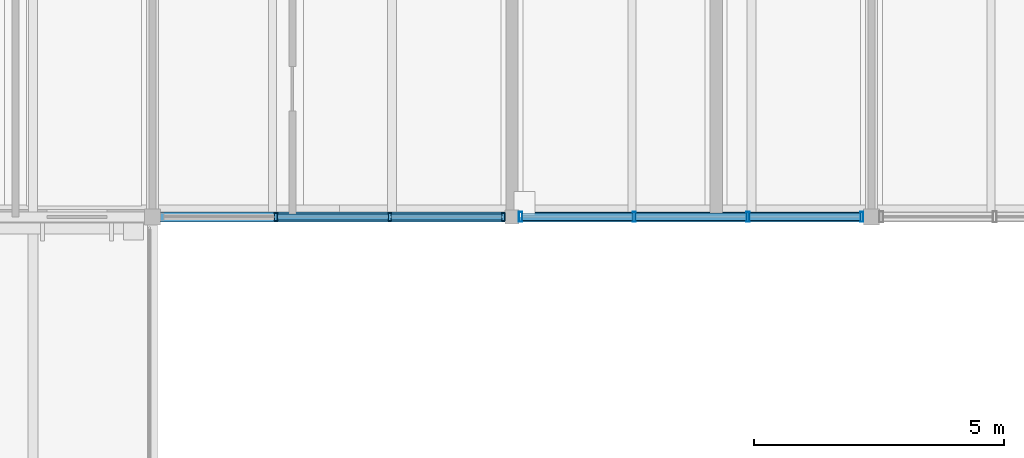
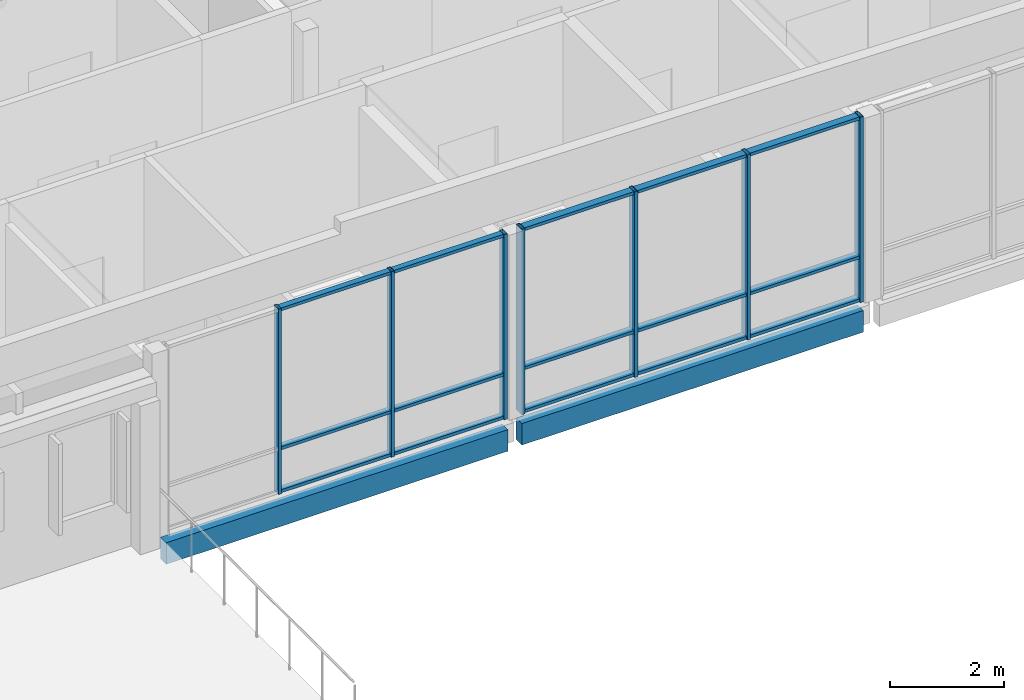
# One storey, part 9 of 32: 22 members, 2 beams, 2 elements without a shape of their own.
"""IFC4 building model written with IfcOpenShell, lengths in metres."""

from ifc_helpers import new_model, si_unit, direction, frame, origin, origin_2d, place, context, subcontext, project, spatial, rectangle, hollow_rectangle, extrude, material, material_profile, profile_set, type_object, element, aggregate, save


model = new_model("IFC4")

# Units and contexts
model_context = context("Model", 3, precision=1e-05, world=origin(), true_north=direction((0.0, 1.0)))
body_context = subcontext(model_context, "Body", "Model", "MODEL_VIEW")
ifc_project = project(units=[si_unit("LENGTHUNIT", "METRE"), si_unit("AREAUNIT", "SQUARE_METRE"), si_unit("VOLUMEUNIT", "CUBIC_METRE"), si_unit("PLANEANGLEUNIT", "RADIAN"), si_unit("MASSUNIT", "GRAM", prefix="KILO")], contexts=[model_context])

# Site, building, storey
site_placement = place(None, origin())
site = spatial("IfcSite", under=ifc_project, at=site_placement, CompositionType="ELEMENT")
building_placement = place(site_placement, origin())
building = spatial("IfcBuilding", under=site, at=building_placement, Name="Hawrajan Terrace Health Centre", CompositionType="ELEMENT")
storey_placement = place(building_placement, frame((0.0, 0.0, 17.39990234375)))
storey = spatial("IfcBuildingStorey", under=building, at=storey_placement, Name="L04", CompositionType="ELEMENT", Elevation=17.39990234375)

# Curtain wall, members
ifc_material_1 = material(Name="Anodized bronze aluminium and low-E solar glazing", Category="aluminium")
curtain_wall_type_1 = type_object("IfcCurtainWallType", Name="CW_Court_SeriesB3", PredefinedType="USERDEFINED", material=ifc_material_1)
curtain_wall_1_placement = place(storey_placement, origin())
curtain_wall_1 = element("IfcCurtainWall", 1, at=curtain_wall_1_placement, inside=storey, type_object=curtain_wall_type_1, Name="Curtain wall CW-L04-174", ObjectType="UNITISED CURTAIN WALL", PredefinedType="USERDEFINED")
ifc_material_2 = material(Name="Anodized bronze aluminium 6063-T6", Category="aluminium")
ifc_material_profile_1 = material_profile(ifc_material_2, hollow_rectangle(XDim=0.06494140625, YDim=0.159912109375, WallThickness=0.00390625, at=origin_2d()), Name="CW MUL 65x160")
ifc_profile_set_1 = profile_set([ifc_material_profile_1], Name="Anodized bronze aluminium 6063-T6")
member_type_1 = type_object("IfcMemberType", Name="CWMullion_65x160", PredefinedType="MULLION", material=ifc_profile_set_1)
member_1_placement = place(storey_placement, frame((21.470703125, 45.39990234375, -0.0048828125), z_axis=(0.0, 0.0, 1.0), x_axis=(1.0, 0.0, 0.0)))
member_1 = element("IfcMember", 2, at=member_1_placement, type_object=member_type_1, Name="Mullion CW-L04-174-M2", PredefinedType="MULLION", context=body_context, shape_type="SweptSolid", body=[
    extrude(hollow_rectangle(XDim=0.06494140625, YDim=0.159912109375, WallThickness=0.00390625, at=origin_2d()), origin(), (0.0, 0.0, 1.0), 3.9599609375),
])
member_2_placement = place(storey_placement, frame((23.749267578125, 45.39990234375, -0.0048828125), z_axis=(0.0, 0.0, 1.0), x_axis=(1.0, 0.0, 0.0)))
member_2 = element("IfcMember", 3, at=member_2_placement, type_object=member_type_1, Name="Mullion CW-L04-174-M3", PredefinedType="MULLION", context=body_context, shape_type="SweptSolid", body=[
    extrude(hollow_rectangle(XDim=0.06494140625, YDim=0.159912109375, WallThickness=0.00390625, at=origin_2d()), origin(), (0.0, 0.0, 1.0), 3.9599609375),
])
member_3_placement = place(storey_placement, frame((26.027587890625, 45.39990234375, -0.0048828125), z_axis=(0.0, 0.0, 1.0), x_axis=(1.0, 0.0, 0.0)))
member_3 = element("IfcMember", 4, at=member_3_placement, type_object=member_type_1, Name="Mullion CW-L04-174-M4", PredefinedType="MULLION", context=body_context, shape_type="SweptSolid", body=[
    extrude(hollow_rectangle(XDim=0.06494140625, YDim=0.159912109375, WallThickness=0.00390625, at=origin_2d()), origin(), (0.0, 0.0, 1.0), 3.9599609375),
])

curtain_wall_type_2 = type_object("IfcCurtainWallType", Name="CW_CourtNS_SeriesC1", PredefinedType="USERDEFINED", material=ifc_material_1)
curtain_wall_2_placement = place(storey_placement, origin())
curtain_wall_2 = element("IfcCurtainWall", 5, at=curtain_wall_2_placement, inside=storey, type_object=curtain_wall_type_2, Name="Curtain wall CW-L04-175", ObjectType="UNITISED CURTAIN WALL", PredefinedType="USERDEFINED")
ifc_material_profile_2 = material_profile(ifc_material_2, hollow_rectangle(XDim=0.06494140625, YDim=0.199951171875, WallThickness=0.00439453125, at=origin_2d()), Name="CW MUL 65x200")
ifc_profile_set_2 = profile_set([ifc_material_profile_2], Name="Anodized bronze aluminium 6063-T6")
member_type_2 = type_object("IfcMemberType", Name="CWMullion_65x200", PredefinedType="MULLION", material=ifc_profile_set_2)
member_4_placement = place(storey_placement, frame((26.37255859375, 45.39990234375, -0.0048828125), z_axis=(0.0, 0.0, 1.0), x_axis=(1.0, 0.0, 0.0)))
member_4 = element("IfcMember", 6, at=member_4_placement, type_object=member_type_2, Name="Mullion CW-L04-175-M1", PredefinedType="MULLION", context=body_context, shape_type="SweptSolid", body=[
    extrude(hollow_rectangle(XDim=0.06494140625, YDim=0.199951171875, WallThickness=0.00439453125, at=origin_2d()), origin(), (0.0, 0.0, 1.0), 3.9599609375),
])
member_5_placement = place(storey_placement, frame((28.65087890625, 45.39990234375, -0.0048828125), z_axis=(0.0, 0.0, 1.0), x_axis=(1.0, 0.0, 0.0)))
member_5 = element("IfcMember", 7, at=member_5_placement, type_object=member_type_2, Name="Mullion CW-L04-175-M2", PredefinedType="MULLION", context=body_context, shape_type="SweptSolid", body=[
    extrude(hollow_rectangle(XDim=0.06494140625, YDim=0.199951171875, WallThickness=0.00439453125, at=origin_2d()), origin(), (0.0, 0.0, 1.0), 3.9599609375),
])
member_6_placement = place(storey_placement, frame((30.92919921875, 45.39990234375, -0.0048828125), z_axis=(0.0, 0.0, 1.0), x_axis=(1.0, 0.0, 0.0)))
member_6 = element("IfcMember", 8, at=member_6_placement, type_object=member_type_2, Name="Mullion CW-L04-175-M3", PredefinedType="MULLION", context=body_context, shape_type="SweptSolid", body=[
    extrude(hollow_rectangle(XDim=0.06494140625, YDim=0.199951171875, WallThickness=0.00439453125, at=origin_2d()), origin(), (0.0, 0.0, 1.0), 3.9599609375),
])
member_7_placement = place(storey_placement, frame((33.20751953125, 45.39990234375, -0.0048828125), z_axis=(0.0, 0.0, 1.0), x_axis=(1.0, 0.0, 0.0)))
member_7 = element("IfcMember", 9, at=member_7_placement, type_object=member_type_2, Name="Mullion CW-L04-175-M4", PredefinedType="MULLION", context=body_context, shape_type="SweptSolid", body=[
    extrude(hollow_rectangle(XDim=0.06494140625, YDim=0.199951171875, WallThickness=0.00439453125, at=origin_2d()), origin(), (0.0, 0.0, 1.0), 3.9599609375),
])

# Member
ifc_material_profile_3 = material_profile(ifc_material_2, hollow_rectangle(XDim=0.06494140625, YDim=0.1201171875, WallThickness=0.00341796875, at=origin_2d()), Name="CW TRN 65x120")
ifc_profile_set_3 = profile_set([ifc_material_profile_3], Name="Anodized bronze aluminium 6063-T6")
member_type_3 = type_object("IfcMemberType", Name="CWTransom_65x120", PredefinedType="USERDEFINED", material=ifc_profile_set_3)
member_8_placement = place(storey_placement, frame((21.497314453125, 45.39990234375, 0.03271484375), z_axis=(1.0, 0.0, 0.0), x_axis=(0.0, 0.0, 1.0)))
member_8 = element("IfcMember", 10, at=member_8_placement, type_object=member_type_3, Name="Transom CW-L04-174-T2-1", ObjectType="TRANSOM", PredefinedType="USERDEFINED", context=body_context, shape_type="SweptSolid", body=[
    extrude(hollow_rectangle(XDim=0.06494140625, YDim=0.1201171875, WallThickness=0.00341796875, at=origin_2d()), origin(), (0.0, 0.0, 1.0), 2.225341796875),
])

member_9_placement = place(storey_placement, frame((21.497314453125, 45.39990234375, 0.9501953125), z_axis=(1.0, 0.0, 0.0), x_axis=(0.0, 0.0, 1.0)))
member_9 = element("IfcMember", 11, at=member_9_placement, type_object=member_type_3, Name="Transom CW-L04-174-T2-2", ObjectType="TRANSOM", PredefinedType="USERDEFINED", context=body_context, shape_type="SweptSolid", body=[
    extrude(hollow_rectangle(XDim=0.06494140625, YDim=0.1201171875, WallThickness=0.00341796875, at=origin_2d()), origin(), (0.0, 0.0, 1.0), 2.225341796875),
])

member_10_placement = place(storey_placement, frame((21.497314453125, 45.39990234375, 3.91748046875), z_axis=(1.0, 0.0, 0.0), x_axis=(0.0, 0.0, 1.0)))
member_10 = element("IfcMember", 12, at=member_10_placement, type_object=member_type_3, Name="Transom CW-L04-174-T2-3", ObjectType="TRANSOM", PredefinedType="USERDEFINED", context=body_context, shape_type="SweptSolid", body=[
    extrude(hollow_rectangle(XDim=0.06494140625, YDim=0.1201171875, WallThickness=0.00341796875, at=origin_2d()), origin(), (0.0, 0.0, 1.0), 2.225341796875),
])

member_11_placement = place(storey_placement, frame((23.775634765625, 45.39990234375, 0.03271484375), z_axis=(1.0, 0.0, 0.0), x_axis=(0.0, 0.0, 1.0)))
member_11 = element("IfcMember", 13, at=member_11_placement, type_object=member_type_3, Name="Transom CW-L04-174-T3-1", ObjectType="TRANSOM", PredefinedType="USERDEFINED", context=body_context, shape_type="SweptSolid", body=[
    extrude(hollow_rectangle(XDim=0.06494140625, YDim=0.1201171875, WallThickness=0.00341796875, at=origin_2d()), origin(), (0.0, 0.0, 1.0), 2.225341796875),
])

member_12_placement = place(storey_placement, frame((23.775634765625, 45.39990234375, 0.9501953125), z_axis=(1.0, 0.0, 0.0), x_axis=(0.0, 0.0, 1.0)))
member_12 = element("IfcMember", 14, at=member_12_placement, type_object=member_type_3, Name="Transom CW-L04-174-T3-2", ObjectType="TRANSOM", PredefinedType="USERDEFINED", context=body_context, shape_type="SweptSolid", body=[
    extrude(hollow_rectangle(XDim=0.06494140625, YDim=0.1201171875, WallThickness=0.00341796875, at=origin_2d()), origin(), (0.0, 0.0, 1.0), 2.225341796875),
])

member_13_placement = place(storey_placement, frame((23.775634765625, 45.39990234375, 3.91748046875), z_axis=(1.0, 0.0, 0.0), x_axis=(0.0, 0.0, 1.0)))
member_13 = element("IfcMember", 15, at=member_13_placement, type_object=member_type_3, Name="Transom CW-L04-174-T3-3", ObjectType="TRANSOM", PredefinedType="USERDEFINED", context=body_context, shape_type="SweptSolid", body=[
    extrude(hollow_rectangle(XDim=0.06494140625, YDim=0.1201171875, WallThickness=0.00341796875, at=origin_2d()), origin(), (0.0, 0.0, 1.0), 2.225341796875),
])

aggregate(curtain_wall_1, [member_1, member_2, member_3, member_8, member_9, member_10, member_11, member_12, member_13])

ifc_material_profile_4 = material_profile(ifc_material_2, hollow_rectangle(XDim=0.06494140625, YDim=0.14990234375, WallThickness=0.00390625, at=origin_2d()), Name="CW TRN 65x150")
ifc_profile_set_4 = profile_set([ifc_material_profile_4], Name="Anodized bronze aluminium 6063-T6")
member_type_4 = type_object("IfcMemberType", Name="CWTransom_65x150", PredefinedType="USERDEFINED", material=ifc_profile_set_4)
member_14_placement = place(storey_placement, frame((26.39892578125, 45.39990234375, 0.03271484375), z_axis=(1.0, 0.0, 0.0), x_axis=(0.0, 0.0, 1.0)))
member_14 = element("IfcMember", 16, at=member_14_placement, type_object=member_type_4, Name="Transom CW-L04-175-T1-1", ObjectType="TRANSOM", PredefinedType="USERDEFINED", context=body_context, shape_type="SweptSolid", body=[
    extrude(hollow_rectangle(XDim=0.06494140625, YDim=0.14990234375, WallThickness=0.00390625, at=origin_2d()), origin(), (0.0, 0.0, 1.0), 2.225341796875),
])

member_15_placement = place(storey_placement, frame((26.39892578125, 45.39990234375, 0.9501953125), z_axis=(1.0, 0.0, 0.0), x_axis=(0.0, 0.0, 1.0)))
member_15 = element("IfcMember", 17, at=member_15_placement, type_object=member_type_4, Name="Transom CW-L04-175-T1-2", ObjectType="TRANSOM", PredefinedType="USERDEFINED", context=body_context, shape_type="SweptSolid", body=[
    extrude(hollow_rectangle(XDim=0.06494140625, YDim=0.14990234375, WallThickness=0.00390625, at=origin_2d()), origin(), (0.0, 0.0, 1.0), 2.225341796875),
])

member_16_placement = place(storey_placement, frame((26.39892578125, 45.39990234375, 3.91748046875), z_axis=(1.0, 0.0, 0.0), x_axis=(0.0, 0.0, 1.0)))
member_16 = element("IfcMember", 18, at=member_16_placement, type_object=member_type_4, Name="Transom CW-L04-175-T1-3", ObjectType="TRANSOM", PredefinedType="USERDEFINED", context=body_context, shape_type="SweptSolid", body=[
    extrude(hollow_rectangle(XDim=0.06494140625, YDim=0.14990234375, WallThickness=0.00390625, at=origin_2d()), origin(), (0.0, 0.0, 1.0), 2.225341796875),
])

member_17_placement = place(storey_placement, frame((28.67724609375, 45.39990234375, 0.03271484375), z_axis=(1.0, 0.0, 0.0), x_axis=(0.0, 0.0, 1.0)))
member_17 = element("IfcMember", 19, at=member_17_placement, type_object=member_type_4, Name="Transom CW-L04-175-T2-1", ObjectType="TRANSOM", PredefinedType="USERDEFINED", context=body_context, shape_type="SweptSolid", body=[
    extrude(hollow_rectangle(XDim=0.06494140625, YDim=0.14990234375, WallThickness=0.00390625, at=origin_2d()), origin(), (0.0, 0.0, 1.0), 2.225341796875),
])

member_18_placement = place(storey_placement, frame((28.67724609375, 45.39990234375, 0.9501953125), z_axis=(1.0, 0.0, 0.0), x_axis=(0.0, 0.0, 1.0)))
member_18 = element("IfcMember", 20, at=member_18_placement, type_object=member_type_4, Name="Transom CW-L04-175-T2-2", ObjectType="TRANSOM", PredefinedType="USERDEFINED", context=body_context, shape_type="SweptSolid", body=[
    extrude(hollow_rectangle(XDim=0.06494140625, YDim=0.14990234375, WallThickness=0.00390625, at=origin_2d()), origin(), (0.0, 0.0, 1.0), 2.225341796875),
])

member_19_placement = place(storey_placement, frame((28.67724609375, 45.39990234375, 3.91748046875), z_axis=(1.0, 0.0, 0.0), x_axis=(0.0, 0.0, 1.0)))
member_19 = element("IfcMember", 21, at=member_19_placement, type_object=member_type_4, Name="Transom CW-L04-175-T2-3", ObjectType="TRANSOM", PredefinedType="USERDEFINED", context=body_context, shape_type="SweptSolid", body=[
    extrude(hollow_rectangle(XDim=0.06494140625, YDim=0.14990234375, WallThickness=0.00390625, at=origin_2d()), origin(), (0.0, 0.0, 1.0), 2.225341796875),
])

member_20_placement = place(storey_placement, frame((30.955810546875, 45.39990234375, 0.03271484375), z_axis=(1.0, 0.0, 0.0), x_axis=(0.0, 0.0, 1.0)))
member_20 = element("IfcMember", 22, at=member_20_placement, type_object=member_type_4, Name="Transom CW-L04-175-T3-1", ObjectType="TRANSOM", PredefinedType="USERDEFINED", context=body_context, shape_type="SweptSolid", body=[
    extrude(hollow_rectangle(XDim=0.06494140625, YDim=0.14990234375, WallThickness=0.00390625, at=origin_2d()), origin(), (0.0, 0.0, 1.0), 2.22509765625),
])

member_21_placement = place(storey_placement, frame((30.955810546875, 45.39990234375, 0.9501953125), z_axis=(1.0, 0.0, 0.0), x_axis=(0.0, 0.0, 1.0)))
member_21 = element("IfcMember", 23, at=member_21_placement, type_object=member_type_4, Name="Transom CW-L04-175-T3-2", ObjectType="TRANSOM", PredefinedType="USERDEFINED", context=body_context, shape_type="SweptSolid", body=[
    extrude(hollow_rectangle(XDim=0.06494140625, YDim=0.14990234375, WallThickness=0.00390625, at=origin_2d()), origin(), (0.0, 0.0, 1.0), 2.22509765625),
])

member_22_placement = place(storey_placement, frame((30.955810546875, 45.39990234375, 3.91748046875), z_axis=(1.0, 0.0, 0.0), x_axis=(0.0, 0.0, 1.0)))
member_22 = element("IfcMember", 24, at=member_22_placement, type_object=member_type_4, Name="Transom CW-L04-175-T3-3", ObjectType="TRANSOM", PredefinedType="USERDEFINED", context=body_context, shape_type="SweptSolid", body=[
    extrude(hollow_rectangle(XDim=0.06494140625, YDim=0.14990234375, WallThickness=0.00390625, at=origin_2d()), origin(), (0.0, 0.0, 1.0), 2.22509765625),
])

aggregate(curtain_wall_2, [member_4, member_5, member_6, member_7, member_14, member_15, member_16, member_17, member_18, member_19, member_20, member_21, member_22])

# Beams
ifc_material_3 = material(Name="Glulam GL32h", Category="wood")
ifc_material_profile_5 = material_profile(ifc_material_3, rectangle(XDim=0.199951171875, YDim=0.4599609375, at=origin_2d()), Name="GL SP 200x460")
ifc_profile_set_5 = profile_set([ifc_material_profile_5], Name="Glulam GL32h")
beam_type = type_object("IfcBeamType", Name="GlulamSpandrel_200x460", PredefinedType="SPANDREL", material=ifc_profile_set_5)
beam_1_placement = place(storey_placement, frame((19.159912109375, 45.39990234375, -0.449951171875), z_axis=(1.0, 0.0, 0.0), x_axis=(0.0, 1.0, 0.0)))
element("IfcBeam", 25, at=beam_1_placement, inside=storey, type_object=beam_type, Name="Beam BM-X-L04-W-03-Y6", PredefinedType="SPANDREL", context=body_context, shape_type="SweptSolid", body=[
    extrude(rectangle(XDim=0.199951171875, YDim=0.4599609375, at=origin_2d()), origin(), (0.0, 0.0, 1.0), 6.900146484375),
])
beam_2_placement = place(storey_placement, frame((26.340087890625, 45.39990234375, -0.419921875), z_axis=(1.0, 0.0, 0.0), x_axis=(0.0, 1.0, 0.0)))
element("IfcBeam", 26, at=beam_2_placement, inside=storey, type_object=beam_type, Name="Beam BM-X-L04-W-04-Y6", PredefinedType="SPANDREL", context=body_context, shape_type="SweptSolid", body=[
    extrude(rectangle(XDim=0.199951171875, YDim=0.4599609375, at=origin_2d()), origin(), (0.0, 0.0, 1.0), 6.89990234375),
])

save(model, "model.ifc")
